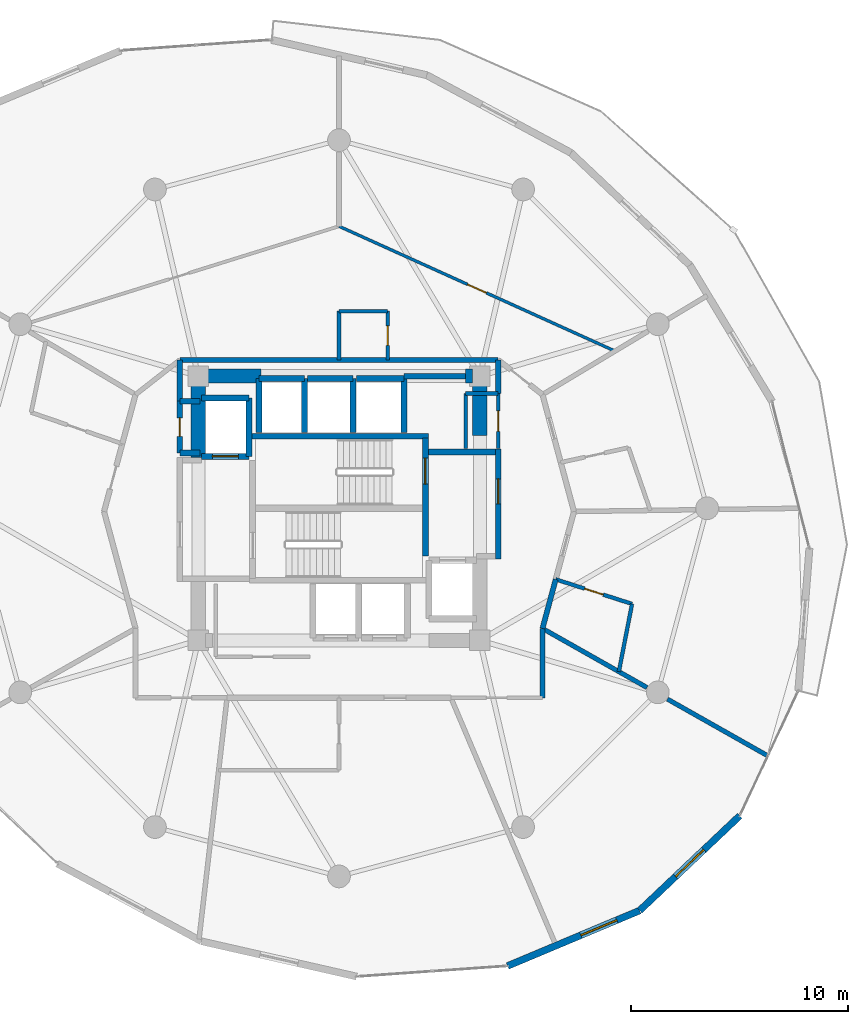
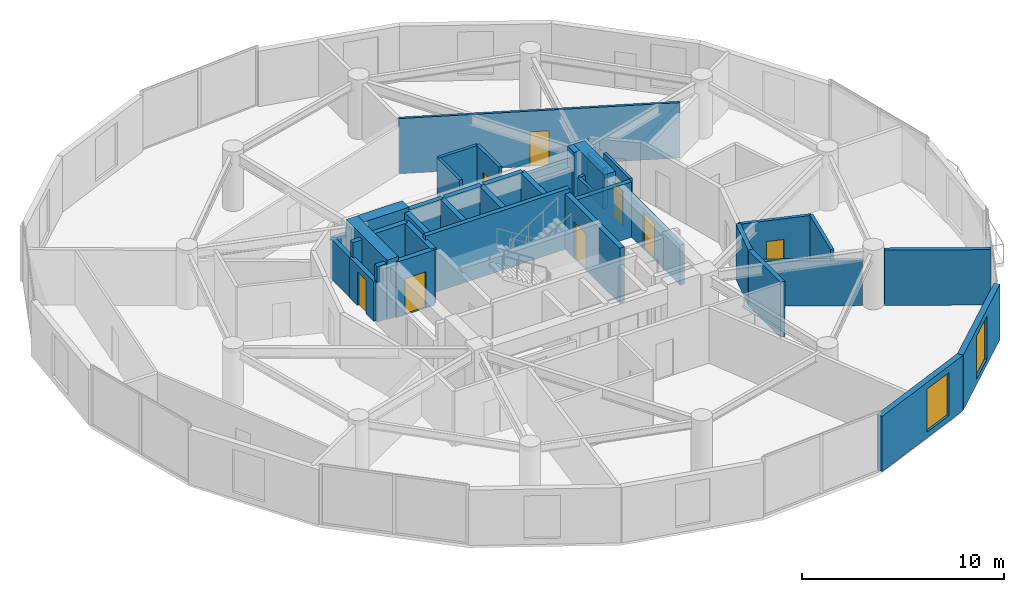
# One storey, part 21 of 25: 40 walls, 8 doors, 2 windows, 10 openings.
"""IFC4 building model written with IfcOpenShell, lengths in metres."""

from ifc_helpers import new_model, si_unit, direction, frame, frame_2d, origin, place, context, subcontext, project, spatial, rectangle, extrude, material, layer, layer_set, type_object, element, fill, save


model = new_model("IFC4")

# Units and contexts
model_context = context("Model", 3, precision=1e-05, world=origin(), true_north=direction((0.0, 1.0)))
body_context = subcontext(model_context, "Body", "Model", "MODEL_VIEW")
ifc_project = project(units=[si_unit("LENGTHUNIT", "METRE"), si_unit("AREAUNIT", "SQUARE_METRE"), si_unit("VOLUMEUNIT", "CUBIC_METRE"), si_unit("PLANEANGLEUNIT", "RADIAN"), si_unit("MASSUNIT", "GRAM", prefix="KILO")], contexts=[model_context])

# Site, building, storey
site_placement = place(None, origin())
site = spatial("IfcSite", under=ifc_project, at=site_placement, CompositionType="ELEMENT")
building_placement = place(site_placement, origin())
building = spatial("IfcBuilding", under=site, at=building_placement, Name="Solvirekh Grand Hotel", CompositionType="ELEMENT")
storey_placement = place(building_placement, frame((0.0, 0.0, 120.60009765625)))
storey = spatial("IfcBuildingStorey", under=building, at=storey_placement, Name="L30", CompositionType="ELEMENT", Elevation=120.60009765625)

# Walls
ifc_material_1 = material(Name="Concrete C50/60", Category="concrete")
ifc_layer_1 = layer(ifc_material_1, 0.35009765625)
ifc_layer_set_1 = layer_set([ifc_layer_1], Name="Concrete C50/60")
wall_type_1 = type_object("IfcWallType", Name="CoreDivWall_RC350", PredefinedType="SOLIDWALL", material=ifc_layer_set_1)
wall_1_placement = place(storey_placement, frame((-4.1298828125, 3.324951171875, 0.0), z_axis=(0.0, 0.0, 1.0), x_axis=(1.0, 0.0, 0.0)))
element("IfcWall", 1, at=wall_1_placement, inside=storey, type_object=wall_type_1, Name="L30 core stair box wall ST-N", PredefinedType="SOLIDWALL", context=body_context, shape_type="SweptSolid", body=[
    extrude(rectangle(XDim=8.259765625, YDim=0.25, at=frame_2d((4.1298828125, 0.0))), origin(), (0.0, 0.0, 1.0), 3.599853515625),
])
ifc_material_2 = material(Name="Concrete C40/50", Category="concrete")
ifc_layer_2 = layer(ifc_material_2, 0.280029296875)
ifc_layer_set_2 = layer_set([ifc_layer_2], Name="Concrete C40/50")
wall_type_2 = type_object("IfcWallType", Name="CoreShaftWall_RC280", PredefinedType="SOLIDWALL", material=ifc_layer_set_2)
wall_2_placement = place(storey_placement, frame((-1.60009765625, 6.0, 0.0), z_axis=(0.0, 0.0, 1.0), x_axis=(-1.0, 0.0, 0.0)))
element("IfcWall", 2, at=wall_2_placement, inside=storey, type_object=wall_type_2, Name="L30 HP-1 hoistway N wall", PredefinedType="SOLIDWALL", context=body_context, shape_type="SweptSolid", body=[
    extrude(rectangle(XDim=2.099853515625, YDim=0.280029296875, at=frame_2d((1.0498046875, 0.0))), origin(), (0.0, 0.0, 1.0), 3.349853515625),
])
for number, where, z_axis, x_axis, name in (
    (3, (-3.699951171875, 6.0, 0.0), (0.0, 0.0, 1.0), (0.0, -1.0, 0.0), "L30 HP-1 hoistway W wall"),
    (4, (-1.60009765625, 3.5, 0.0), (0.0, 0.0, 1.0), (0.0, 1.0, 0.0), "L30 HP-1 hoistway E wall"),
):
    element("IfcWall", number, at=place(storey_placement, frame(where, z_axis=z_axis, x_axis=x_axis)), inside=storey, type_object=wall_type_2, Name=name, PredefinedType="SOLIDWALL", context=body_context, shape_type="SweptSolid", body=[
        extrude(rectangle(XDim=2.5, YDim=0.280029296875, at=frame_2d((1.25, 0.0))), origin(), (0.0, 0.0, 1.0), 3.349853515625),
    ])
wall_3_placement = place(storey_placement, frame((0.64990234375, 6.0, 0.0), z_axis=(0.0, 0.0, 1.0), x_axis=(-1.0, 0.0, 0.0)))
element("IfcWall", 5, at=wall_3_placement, inside=storey, type_object=wall_type_2, Name="L30 HP-2 hoistway N wall", PredefinedType="SOLIDWALL", context=body_context, shape_type="SweptSolid", body=[
    extrude(rectangle(XDim=2.099853515625, YDim=0.280029296875, at=frame_2d((1.0498046875, 0.0))), origin(), (0.0, 0.0, 1.0), 3.349853515625),
])
wall_4_placement = place(storey_placement, frame((0.64990234375, 3.5, 0.0), z_axis=(0.0, 0.0, 1.0), x_axis=(0.0, 1.0, 0.0)))
element("IfcWall", 6, at=wall_4_placement, inside=storey, type_object=wall_type_2, Name="L30 HP-2 hoistway E wall", PredefinedType="SOLIDWALL", context=body_context, shape_type="SweptSolid", body=[
    extrude(rectangle(XDim=2.5, YDim=0.280029296875, at=frame_2d((1.25, 0.0))), origin(), (0.0, 0.0, 1.0), 3.349853515625),
])
wall_5_placement = place(storey_placement, frame((3.0, 6.0, 0.0), z_axis=(0.0, 0.0, 1.0), x_axis=(-1.0, 0.0, 0.0)))
element("IfcWall", 7, at=wall_5_placement, inside=storey, type_object=wall_type_2, Name="L30 EX-1 hoistway N wall", PredefinedType="SOLIDWALL", context=body_context, shape_type="SweptSolid", body=[
    extrude(rectangle(XDim=2.199951171875, YDim=0.280029296875, at=frame_2d((1.10009765625, 0.0))), origin(), (0.0, 0.0, 1.0), 3.349853515625),
])
wall_6_placement = place(storey_placement, frame((3.0, 3.5, 0.0), z_axis=(0.0, 0.0, 1.0), x_axis=(0.0, 1.0, 0.0)))
element("IfcWall", 8, at=wall_6_placement, inside=storey, type_object=wall_type_2, Name="L30 EX-1 hoistway E wall", PredefinedType="SOLIDWALL", context=body_context, shape_type="SweptSolid", body=[
    extrude(rectangle(XDim=2.5, YDim=0.280029296875, at=frame_2d((1.25, 0.0))), origin(), (0.0, 0.0, 1.0), 3.349853515625),
])

# Wall, opening, door
wall_7_placement = place(storey_placement, frame((-6.35009765625, 2.39990234375, 0.0), z_axis=(0.0, 0.0, 1.0), x_axis=(1.0, 0.0, 0.0)))
wall_7 = element("IfcWall", 9, at=wall_7_placement, inside=storey, type_object=wall_type_2, Name="L30 FL-1 hoistway S wall", PredefinedType="SOLIDWALL", context=body_context, shape_type="SweptSolid", body=[
    extrude(rectangle(XDim=2.2001953125, YDim=0.280029296875, at=frame_2d((1.10009765625, 0.0))), origin(), (0.0, 0.0, 1.0), 3.349853515625),
])
opening_1_placement = place(wall_7_placement, frame((0.5, 0.0, 0.0)))
opening_1 = element("IfcOpeningElement", 10, at=opening_1_placement, cuts=wall_7, Name="Opening LD02", PredefinedType="OPENING", context=body_context, shape_type="SweptSolid", body=[
    extrude(rectangle(XDim=1.199951171875, YDim=2.199951171875, at=frame_2d((0.60009765625, 1.10009765625))), frame((0.0, 0.14990234375, 0.0), z_axis=(0.0, -1.0, 0.0), x_axis=(1.0, 0.0, 0.0)), (0.0, 0.0, 1.0), 0.300048828125),
])
ifc_material_3 = material(Name="Fire-Rated Steel Door Assembly", Category="steel")
door_type_1 = type_object("IfcDoorType", Name="Door_LiftFF_1200X2200", OperationType="SLIDING_TO_LEFT", PredefinedType="DOOR", material=ifc_material_3)
door_1_placement = place(opening_1_placement, origin())
door_1 = element("IfcDoor", 11, at=door_1_placement, inside=storey, type_object=door_type_1, Name="L30 FL-1 sliding lift landing door", OperationType="SLIDING_TO_LEFT", OverallHeight=2.199951171875, OverallWidth=1.199951171875, PredefinedType="DOOR", context=body_context, shape_type="SweptSolid", body=[
    extrude(rectangle(XDim=1.199951171875, YDim=2.199951171875, at=frame_2d((0.60009765625, 1.10009765625))), frame((0.0, 0.02490234375, 0.0), z_axis=(0.0, -1.0, 0.0), x_axis=(1.0, 0.0, 0.0)), (0.0, 0.0, 1.0), 0.050048828125),
])
fill(opening_1, door_1)

# Walls
wall_8_placement = place(storey_placement, frame((-4.14990234375, 5.10009765625, 0.0), z_axis=(0.0, 0.0, 1.0), x_axis=(-1.0, 0.0, 0.0)))
element("IfcWall", 12, at=wall_8_placement, inside=storey, type_object=wall_type_2, Name="L30 FL-1 hoistway N wall", PredefinedType="SOLIDWALL", context=body_context, shape_type="SweptSolid", body=[
    extrude(rectangle(XDim=2.2001953125, YDim=0.280029296875, at=frame_2d((1.10009765625, 0.0))), origin(), (0.0, 0.0, 1.0), 3.349853515625),
])
wall_9_placement = place(storey_placement, frame((-4.14990234375, 2.39990234375, 0.0), z_axis=(0.0, 0.0, 1.0), x_axis=(0.0, 1.0, 0.0)))
element("IfcWall", 13, at=wall_9_placement, inside=storey, type_object=wall_type_2, Name="L30 FL-1 hoistway E wall", PredefinedType="SOLIDWALL", context=body_context, shape_type="SweptSolid", body=[
    extrude(rectangle(XDim=2.7001953125, YDim=0.280029296875, at=frame_2d((1.35009765625, 0.0))), origin(), (0.0, 0.0, 1.0), 3.349853515625),
])

# Wall, opening, door
wall_10_placement = place(storey_placement, frame((3.989990234375, -2.2099609375, 0.0), z_axis=(0.0, 0.0, 1.0), x_axis=(0.0, 1.0, 0.0)))
wall_10 = element("IfcWall", 14, at=wall_10_placement, inside=storey, type_object=wall_type_2, Name="L30 east stair landing enclosure wall", PredefinedType="SOLIDWALL", context=body_context, shape_type="SweptSolid", body=[
    extrude(rectangle(XDim=5.4599609375, YDim=0.280029296875, at=frame_2d((2.72998046875, 0.0))), origin(), (0.0, 0.0, 1.0), 3.349853515625),
])
opening_2_placement = place(wall_10_placement, frame((3.322998046875, 0.0, 0.0)))
opening_2 = element("IfcOpeningElement", 15, at=opening_2_placement, cuts=wall_10, Name="Opening D05", PredefinedType="OPENING", context=body_context, shape_type="SweptSolid", body=[
    extrude(rectangle(XDim=1.199951171875, YDim=2.199951171875, at=frame_2d((0.60009765625, 1.10009765625))), frame((0.0, 0.14990234375, 0.0), z_axis=(0.0, -1.0, 0.0), x_axis=(1.0, 0.0, 0.0)), (0.0, 0.0, 1.0), 0.300048828125),
])
door_type_2 = type_object("IfcDoorType", Name="Door_StairCore_1200X2200", OperationType="NOTDEFINED", PredefinedType="DOOR", material=ifc_material_3)
door_2_placement = place(opening_2_placement, origin())
door_2 = element("IfcDoor", 16, at=door_2_placement, inside=storey, type_object=door_type_2, Name="L30 exit stair ST-2 fire door", OperationType="SINGLE_SWING_LEFT", OverallHeight=2.199951171875, OverallWidth=1.199951171875, PredefinedType="DOOR", context=body_context, shape_type="SweptSolid", body=[
    extrude(rectangle(XDim=1.199951171875, YDim=2.199951171875, at=frame_2d((0.60009765625, 1.10009765625))), frame((0.0, 0.02490234375, 0.0), z_axis=(0.0, -1.0, 0.0), x_axis=(1.0, 0.0, 0.0)), (0.0, 0.0, 1.0), 0.050048828125),
])
fill(opening_2, door_2)

# Walls
ifc_layer_3 = layer(ifc_material_1, 0.64990234375)
ifc_layer_set_3 = layer_set([ifc_layer_3], Name="Concrete C50/60")
wall_type_3 = type_object("IfcWallType", Name="CoreWall_RC650", PredefinedType="SHEAR", material=ifc_layer_set_3)
wall_11_placement = place(storey_placement, frame((-6.175048828125, 6.10009765625, 0.0), z_axis=(0.0, 0.0, 1.0), x_axis=(1.0, 0.0, 0.0)))
element("IfcWall", 17, at=wall_11_placement, inside=storey, type_object=wall_type_3, Name="L30 core corner shear wall NW-N", PredefinedType="SHEAR", context=body_context, shape_type="SweptSolid", body=[
    extrude(rectangle(XDim=2.574951171875, YDim=0.64990234375, at=frame_2d((1.28759765625, 0.0))), origin(), (0.0, 0.0, 1.0), 3.599853515625),
])
wall_12_placement = place(storey_placement, frame((5.85009765625, 6.10009765625, 0.0), z_axis=(0.0, 0.0, 1.0), x_axis=(1.0, 0.0, 0.0)))
element("IfcWall", 18, at=wall_12_placement, inside=storey, type_object=wall_type_3, Name="L30 core corner shear wall NE-N", PredefinedType="SHEAR", context=body_context, shape_type="SweptSolid", body=[
    extrude(rectangle(XDim=0.324951171875, YDim=0.64990234375, at=frame_2d((0.16259765625, 0.0))), origin(), (0.0, 0.0, 1.0), 3.599853515625),
])
wall_13_placement = place(storey_placement, frame((-6.5, 2.35009765625, 0.0), z_axis=(0.0, 0.0, 1.0), x_axis=(0.0, 1.0, 0.0)))
element("IfcWall", 19, at=wall_13_placement, inside=storey, type_object=wall_type_3, Name="L30 core corner shear wall WN-W", PredefinedType="SHEAR", context=body_context, shape_type="SweptSolid", body=[
    extrude(rectangle(XDim=4.074951171875, YDim=0.64990234375, at=frame_2d((2.03759765625, 0.0))), origin(), (0.0, 0.0, 1.0), 3.599853515625),
])
wall_14_placement = place(storey_placement, frame((6.5, 3.35009765625, 0.0), z_axis=(0.0, 0.0, 1.0), x_axis=(0.0, 1.0, 0.0)))
element("IfcWall", 20, at=wall_14_placement, inside=storey, type_object=wall_type_3, Name="L30 core corner shear wall EN-E", PredefinedType="SHEAR", context=body_context, shape_type="SweptSolid", body=[
    extrude(rectangle(XDim=3.074951171875, YDim=0.64990234375, at=frame_2d((1.53759765625, 0.0))), origin(), (0.0, 0.0, 1.0), 3.599853515625),
])

# Wall, opening, window
ifc_material_4 = material(Name="Precast concrete C45/55", Category="concrete")
ifc_layer_4 = layer(ifc_material_4, 0.320068359375)
ifc_layer_set_4 = layer_set([ifc_layer_4], Name="Precast concrete C45/55")
wall_type_4 = type_object("IfcWallType", Name="ExtLobbyWall_RC320", PredefinedType="SOLIDWALL", material=ifc_layer_set_4)
wall_15_placement = place(storey_placement, frame((13.882080078125, -18.576904296875, 0.0), z_axis=(0.0, 0.0, 1.0), x_axis=(-0.92207540552, -0.387010266704, 0.0)))
wall_15 = element("IfcWall", 21, at=wall_15_placement, inside=storey, type_object=wall_type_4, Name="L30 exterior structural wall chord 19", PredefinedType="SOLIDWALL", context=body_context, shape_type="SweptSolid", body=[
    extrude(rectangle(XDim=6.612548828125, YDim=0.320068359375, at=frame_2d((3.30615234375, 0.0))), origin(), (0.0, 0.0, 1.0), 3.349853515625),
])
opening_3_placement = place(wall_15_placement, frame((1.14306640625, 0.0, 0.35009765625)))
opening_3 = element("IfcOpeningElement", 22, at=opening_3_placement, cuts=wall_15, Name="Opening W02", PredefinedType="OPENING", context=body_context, shape_type="SweptSolid", body=[
    extrude(rectangle(XDim=1.800048828125, YDim=2.60009765625, at=frame_2d((0.89990234375, 1.300048828125))), frame((0.0, 0.169921875, 0.0), z_axis=(0.0, -1.0, 0.0), x_axis=(1.0, 0.0, 0.0)), (0.0, 0.0, 1.0), 0.340087890625),
])
ifc_material_5 = material(Name="Low-E Tinted Bronze Laminated Glass", Category="aluminium")
window_type = type_object("IfcWindowType", Name="Win_LobbyExt_1800X2600", PartitioningType="SINGLE_PANEL", PredefinedType="WINDOW", material=ifc_material_5)
window_1_placement = place(opening_3_placement, origin())
window_1 = element("IfcWindow", 23, at=window_1_placement, inside=storey, type_object=window_type, Name="L30 panoramic bronze-framed window 19", OverallHeight=2.60009765625, OverallWidth=1.800048828125, PartitioningType="SINGLE_PANEL", PredefinedType="WINDOW", context=body_context, shape_type="SweptSolid", body=[
    extrude(rectangle(XDim=1.800048828125, YDim=2.60009765625, at=frame_2d((0.89990234375, 1.300048828125))), frame((0.0, 0.030029296875, 0.0), z_axis=(0.0, -1.0, 0.0), x_axis=(1.0, 0.0, 0.0)), (0.0, 0.0, 1.0), 0.06005859375),
])
fill(opening_3, window_1)

wall_16_placement = place(storey_placement, frame((18.508056640625, -14.198974609375, 0.0), z_axis=(0.0, 0.0, 1.0), x_axis=(-0.726311169537, -0.687366048773, 0.0)))
wall_16 = element("IfcWall", 24, at=wall_16_placement, inside=storey, type_object=wall_type_4, Name="L30 exterior structural wall chord 20", PredefinedType="SOLIDWALL", context=body_context, shape_type="SweptSolid", body=[
    extrude(rectangle(XDim=6.369140625, YDim=0.320068359375, at=frame_2d((3.1845703125, 0.0))), origin(), (0.0, 0.0, 1.0), 3.349853515625),
])
opening_4_placement = place(wall_16_placement, frame((2.284912109375, 0.0, 0.35009765625)))
opening_4 = element("IfcOpeningElement", 25, at=opening_4_placement, cuts=wall_16, Name="Opening W02", PredefinedType="OPENING", context=body_context, shape_type="SweptSolid", body=[
    extrude(rectangle(XDim=1.800048828125, YDim=2.60009765625, at=frame_2d((0.89990234375, 1.300048828125))), frame((0.0, 0.169921875, 0.0), z_axis=(0.0, -1.0, 0.0), x_axis=(1.0, 0.0, 0.0)), (0.0, 0.0, 1.0), 0.340087890625),
])
window_2_placement = place(opening_4_placement, origin())
window_2 = element("IfcWindow", 26, at=window_2_placement, inside=storey, type_object=window_type, Name="L30 panoramic bronze-framed window 20", OverallHeight=2.60009765625, OverallWidth=1.800048828125, PartitioningType="SINGLE_PANEL", PredefinedType="WINDOW", context=body_context, shape_type="SweptSolid", body=[
    extrude(rectangle(XDim=1.800048828125, YDim=2.60009765625, at=frame_2d((0.89990234375, 1.300048828125))), frame((0.0, 0.030029296875, 0.0), z_axis=(0.0, -1.0, 0.0), x_axis=(1.0, 0.0, 0.0)), (0.0, 0.0, 1.0), 0.06005859375),
])
fill(opening_4, window_2)

# Wall, opening, door
ifc_material_6 = material(Name="Acoustic Gypsum Partition Assembly")
ifc_layer_5 = layer(ifc_material_6, 0.1650390625)
ifc_layer_set_5 = layer_set([ifc_layer_5], Name="Acoustic Gypsum Partition Assembly")
wall_type_5 = type_object("IfcWallType", Name="Part_BOH_165", PredefinedType="PARTITIONING", material=ifc_layer_set_5)
wall_17_placement = place(storey_placement, frame((7.35009765625, 2.75, 0.0), z_axis=(0.0, 0.0, 1.0), x_axis=(0.0, 1.0, 0.0)))
wall_17 = element("IfcWall", 27, at=wall_17_placement, inside=storey, type_object=wall_type_5, Name="L30 L30 Core Housekeeping & Linen Room wall 2", PredefinedType="PARTITIONING", context=body_context, shape_type="SweptSolid", body=[
    extrude(rectangle(XDim=2.550048828125, YDim=0.1650390625, at=frame_2d((1.27490234375, 0.0))), origin(), (0.0, 0.0, 1.0), 3.349853515625),
])
opening_5_placement = place(wall_17_placement, frame((0.800048828125, 0.0, 0.0)))
opening_5 = element("IfcOpeningElement", 28, at=opening_5_placement, cuts=wall_17, Name="Opening D10", PredefinedType="OPENING", context=body_context, shape_type="SweptSolid", body=[
    extrude(rectangle(XDim=0.949951171875, YDim=2.10009765625, at=frame_2d((0.47509765625, 1.050048828125))), frame((0.0, 0.092529296875, 0.0), z_axis=(0.0, -1.0, 0.0), x_axis=(1.0, 0.0, 0.0)), (0.0, 0.0, 1.0), 0.18505859375),
])
ifc_material_7 = material(Name="Anodized Bronze Aluminium 6063-T6", Category="aluminium")
door_type_3 = type_object("IfcDoorType", Name="Door_RoomInt_950X2100", OperationType="NOTDEFINED", PredefinedType="DOOR", material=ifc_material_7)
door_3_placement = place(opening_5_placement, origin())
door_3 = element("IfcDoor", 29, at=door_3_placement, inside=storey, type_object=door_type_3, Name="L30 L30 Core Housekeeping & Linen Room door", OperationType="SINGLE_SWING_LEFT", OverallHeight=2.10009765625, OverallWidth=0.949951171875, PredefinedType="DOOR", context=body_context, shape_type="SweptSolid", body=[
    extrude(rectangle(XDim=0.949951171875, YDim=2.10009765625, at=frame_2d((0.47509765625, 1.050048828125))), frame((0.0, 0.02490234375, 0.0), z_axis=(0.0, -1.0, 0.0), x_axis=(1.0, 0.0, 0.0)), (0.0, 0.0, 1.0), 0.050048828125),
])
fill(opening_5, door_3)

# Walls
wall_18_placement = place(storey_placement, frame((7.35009765625, 5.300048828125, 0.0), z_axis=(0.0, 0.0, 1.0), x_axis=(-1.0, 0.0, 0.0)))
element("IfcWall", 30, at=wall_18_placement, inside=storey, type_object=wall_type_5, Name="L30 L30 Core Housekeeping & Linen Room wall 3", PredefinedType="PARTITIONING", context=body_context, shape_type="SweptSolid", body=[
    extrude(rectangle(XDim=1.5, YDim=0.1650390625, at=frame_2d((0.75, 0.0))), origin(), (0.0, 0.0, 1.0), 2.434814453125),
])
wall_19_placement = place(storey_placement, frame((5.85009765625, 5.300048828125, 0.0), z_axis=(0.0, 0.0, 1.0), x_axis=(0.0, -1.0, 0.0)))
element("IfcWall", 31, at=wall_19_placement, inside=storey, type_object=wall_type_5, Name="L30 L30 Core Housekeeping & Linen Room wall 4", PredefinedType="PARTITIONING", context=body_context, shape_type="SweptSolid", body=[
    extrude(rectangle(XDim=2.550048828125, YDim=0.1650390625, at=frame_2d((1.27490234375, 0.0))), origin(), (0.0, 0.0, 1.0), 2.434814453125),
])

# Wall, opening, door
ifc_layer_6 = layer(ifc_material_6, 0.239990234375)
ifc_layer_set_6 = layer_set([ifc_layer_6], Name="Acoustic Gypsum Partition Assembly")
wall_type_6 = type_object("IfcWallType", Name="Part_Corridor_240", PredefinedType="PARTITIONING", material=ifc_layer_set_6)
wall_20_placement = place(storey_placement, frame((7.35009765625, -2.340087890625, 0.0), z_axis=(0.0, 0.0, 1.0), x_axis=(0.0, 1.0, 0.0)))
wall_20 = element("IfcWall", 32, at=wall_20_placement, inside=storey, type_object=wall_type_6, Name="L30 east firefighting lobby smoke screen wall", PredefinedType="PARTITIONING", context=body_context, shape_type="SweptSolid", body=[
    extrude(rectangle(XDim=5.070068359375, YDim=0.239990234375, at=frame_2d((2.53515625, 0.0))), origin(), (0.0, 0.0, 1.0), 2.434814453125),
])
opening_6_placement = place(wall_20_placement, frame((2.548095703125, 0.0, 0.0)))
opening_6 = element("IfcOpeningElement", 33, at=opening_6_placement, cuts=wall_20, Name="Opening D06", PredefinedType="OPENING", context=body_context, shape_type="SweptSolid", body=[
    extrude(rectangle(XDim=1.14990234375, YDim=2.199951171875, at=frame_2d((0.574951171875, 1.10009765625))), frame((0.0, 0.1298828125, 0.0), z_axis=(0.0, -1.0, 0.0), x_axis=(1.0, 0.0, 0.0)), (0.0, 0.0, 1.0), 0.260009765625),
])
door_type_4 = type_object("IfcDoorType", Name="Door_FFLobby_1150X2200", OperationType="NOTDEFINED", PredefinedType="DOOR", material=ifc_material_3)
door_4_placement = place(opening_6_placement, origin())
door_4 = element("IfcDoor", 34, at=door_4_placement, inside=storey, type_object=door_type_4, Name="L30 east firefighting lobby smoke door", OperationType="SINGLE_SWING_LEFT", OverallHeight=2.199951171875, OverallWidth=1.14990234375, PredefinedType="DOOR", context=body_context, shape_type="SweptSolid", body=[
    extrude(rectangle(XDim=1.14990234375, YDim=2.199951171875, at=frame_2d((0.574951171875, 1.10009765625))), frame((0.0, 0.02490234375, 0.0), z_axis=(0.0, -1.0, 0.0), x_axis=(1.0, 0.0, 0.0)), (0.0, 0.0, 1.0), 0.050048828125),
])
fill(opening_6, door_4)

# Walls
wall_21_placement = place(storey_placement, frame((-7.35009765625, 6.85009765625, 0.0), z_axis=(0.0, 0.0, 1.0), x_axis=(1.0, 0.0, 0.0)))
element("IfcWall", 35, at=wall_21_placement, inside=storey, type_object=wall_type_6, Name="L30 north core backing partition", PredefinedType="PARTITIONING", context=body_context, shape_type="SweptSolid", body=[
    extrude(rectangle(XDim=14.7001953125, YDim=0.239990234375, at=frame_2d((7.35009765625, 0.0))), origin(), (0.0, 0.0, 1.0), 2.434814453125),
])
wall_22_placement = place(storey_placement, frame((-7.35009765625, 4.949951171875, 0.0), z_axis=(0.0, 0.0, 1.0), x_axis=(0.0, 1.0, 0.0)))
element("IfcWall", 36, at=wall_22_placement, inside=storey, type_object=wall_type_6, Name="L30 NW core cheek closure wall", PredefinedType="PARTITIONING", context=body_context, shape_type="SweptSolid", body=[
    extrude(rectangle(XDim=1.900146484375, YDim=0.239990234375, at=frame_2d((0.9501953125, 0.0))), origin(), (0.0, 0.0, 1.0), 2.434814453125),
])
wall_23_placement = place(storey_placement, frame((7.35009765625, 5.300048828125, 0.0), z_axis=(0.0, 0.0, 1.0), x_axis=(0.0, 1.0, 0.0)))
element("IfcWall", 37, at=wall_23_placement, inside=storey, type_object=wall_type_6, Name="L30 NE core cheek closure wall", PredefinedType="PARTITIONING", context=body_context, shape_type="SweptSolid", body=[
    extrude(rectangle(XDim=1.550048828125, YDim=0.239990234375, at=frame_2d((0.77490234375, 0.0))), origin(), (0.0, 0.0, 1.0), 2.434814453125),
])
wall_24_placement = place(storey_placement, frame((3.0, 6.10009765625, 0.0), z_axis=(0.0, 0.0, 1.0), x_axis=(1.0, 0.0, 0.0)))
element("IfcWall", 38, at=wall_24_placement, inside=storey, type_object=wall_type_6, Name="L30 north core shaft infill wall", PredefinedType="PARTITIONING", context=body_context, shape_type="SweptSolid", body=[
    extrude(rectangle(XDim=2.85009765625, YDim=0.239990234375, at=frame_2d((1.425048828125, 0.0))), origin(), (0.0, 0.0, 1.0), 2.434814453125),
])
wall_25_placement = place(storey_placement, frame((9.39599609375, -5.550048828125, 0.0), z_axis=(0.0, 0.0, 1.0), x_axis=(0.260152382661, 0.965567572879, 0.0)))
element("IfcWall", 39, at=wall_25_placement, inside=storey, type_object=wall_type_6, Name="L30 En-suite Bathroom 3203 corridor backing wall", PredefinedType="PARTITIONING", context=body_context, shape_type="SweptSolid", body=[
    extrude(rectangle(XDim=2.348876953125, YDim=0.239990234375, at=frame_2d((1.17431640625, 0.0))), origin(), (0.0, 0.0, 1.0), 3.349853515625),
])
wall_26_placement = place(storey_placement, frame((9.39599609375, -8.75, 0.0), z_axis=(0.0, 0.0, 1.0), x_axis=(0.0, 1.0, 0.0)))
element("IfcWall", 40, at=wall_26_placement, inside=storey, type_object=wall_type_6, Name="L30 L30 Butler Valet & Linen Steward Room corridor wall 1", PredefinedType="PARTITIONING", context=body_context, shape_type="SweptSolid", body=[
    extrude(rectangle(XDim=3.199951171875, YDim=0.239990234375, at=frame_2d((1.60009765625, 0.0))), origin(), (0.0, 0.0, 1.0), 3.349853515625),
])
ifc_layer_7 = layer(ifc_material_6, 0.260009765625)
ifc_layer_set_7 = layer_set([ifc_layer_7], Name="Acoustic Gypsum Partition Assembly")
wall_type_7 = type_object("IfcWallType", Name="Part_LobbyFF_260", PredefinedType="PARTITIONING", material=ifc_layer_set_7)
wall_27_placement = place(storey_placement, frame((4.1298828125, 2.60009765625, 0.0), z_axis=(0.0, 0.0, 1.0), x_axis=(1.0, 0.0, 0.0)))
element("IfcWall", 41, at=wall_27_placement, inside=storey, type_object=wall_type_7, Name="L30 east firefighting lobby north partition", PredefinedType="PARTITIONING", context=body_context, shape_type="SweptSolid", body=[
    extrude(rectangle(XDim=3.09521484375, YDim=0.260009765625, at=frame_2d((1.547607421875, 0.0))), origin(), (0.0, 0.0, 1.0), 3.349853515625),
])
for number, where, z_axis, x_axis, name in (
    (42, (-7.35009765625, 4.949951171875, 0.0), (0.0, 0.0, 1.0), (1.0, 0.0, 0.0), "L30 NW telecom metering cupboard north wall"),
    (43, (-7.35009765625, 2.550048828125, 0.0), (0.0, 0.0, 1.0), (1.0, 0.0, 0.0), "L30 NW telecom metering cupboard south wall"),
):
    element("IfcWall", number, at=place(storey_placement, frame(where, z_axis=z_axis, x_axis=x_axis)), inside=storey, type_object=wall_type_7, Name=name, PredefinedType="PARTITIONING", context=body_context, shape_type="SweptSolid", body=[
        extrude(rectangle(XDim=0.93017578125, YDim=0.260009765625, at=frame_2d((0.465087890625, 0.0))), origin(), (0.0, 0.0, 1.0), 3.349853515625),
    ])

# Wall, opening, door
wall_28_placement = place(storey_placement, frame((-7.35009765625, 2.550048828125, 0.0), z_axis=(0.0, 0.0, 1.0), x_axis=(0.0, 1.0, 0.0)))
wall_28 = element("IfcWall", 44, at=wall_28_placement, inside=storey, type_object=wall_type_7, Name="L30 NW telecom metering cupboard access wall", PredefinedType="PARTITIONING", context=body_context, shape_type="SweptSolid", body=[
    extrude(rectangle(XDim=2.39990234375, YDim=0.260009765625, at=frame_2d((1.199951171875, 0.0))), origin(), (0.0, 0.0, 1.0), 2.434814453125),
])
opening_7_placement = place(wall_28_placement, frame((0.77490234375, 0.0, 0.0)))
opening_7 = element("IfcOpeningElement", 45, at=opening_7_placement, cuts=wall_28, Name="Opening D13", PredefinedType="OPENING", context=body_context, shape_type="SweptSolid", body=[
    extrude(rectangle(XDim=0.85009765625, YDim=2.050048828125, at=frame_2d((0.425048828125, 1.02490234375))), frame((0.0, 0.14013671875, 0.0), z_axis=(0.0, -1.0, 0.0), x_axis=(1.0, 0.0, 0.0)), (0.0, 0.0, 1.0), 0.280029296875),
])
door_type_5 = type_object("IfcDoorType", Name="Door_RiserShaft_850X2050", OperationType="NOTDEFINED", PredefinedType="DOOR", material=ifc_material_3)
door_5_placement = place(opening_7_placement, origin())
door_5 = element("IfcDoor", 46, at=door_5_placement, inside=storey, type_object=door_type_5, Name="L30 telecom metering cupboard access door", OperationType="SINGLE_SWING_RIGHT", OverallHeight=2.050048828125, OverallWidth=0.85009765625, PredefinedType="DOOR", context=body_context, shape_type="SweptSolid", body=[
    extrude(rectangle(XDim=0.85009765625, YDim=2.050048828125, at=frame_2d((0.425048828125, 1.02490234375))), frame((0.0, 0.02490234375, 0.0), z_axis=(0.0, -1.0, 0.0), x_axis=(1.0, 0.0, 0.0)), (0.0, 0.0, 1.0), 0.050048828125),
])
fill(opening_7, door_5)

ifc_layer_8 = layer(ifc_material_6, 0.135009765625)
ifc_layer_set_8 = layer_set([ifc_layer_8], Name="Acoustic Gypsum Partition Assembly")
wall_type_8 = type_object("IfcWallType", Name="Part_RoomInt_135", PredefinedType="PARTITIONING", material=ifc_layer_set_8)
wall_29_placement = place(storey_placement, frame((0.0, 13.02294921875, 0.0), z_axis=(0.0, 0.0, 1.0), x_axis=(0.911139602209, -0.412097834605, 0.0)))
wall_29 = element("IfcWall", 47, at=wall_29_placement, inside=storey, type_object=wall_type_8, Name="L30 Panorama Suite 3201 North Sitting Room bedroom screen wall", PredefinedType="PARTITIONING", context=body_context, shape_type="SweptSolid", body=[
    extrude(rectangle(XDim=13.98681640625, YDim=0.135009765625, at=frame_2d((6.993408203125, 0.0))), origin(), (0.0, 0.0, 1.0), 3.349853515625),
])
opening_8_placement = place(wall_29_placement, frame((6.51806640625, 0.0, 0.0)))
opening_8 = element("IfcOpeningElement", 48, at=opening_8_placement, cuts=wall_29, Name="Opening D10", PredefinedType="OPENING", context=body_context, shape_type="SweptSolid", body=[
    extrude(rectangle(XDim=0.949951171875, YDim=2.10009765625, at=frame_2d((0.47509765625, 1.050048828125))), frame((0.0, 0.07763671875, 0.0), z_axis=(0.0, -1.0, 0.0), x_axis=(1.0, 0.0, 0.0)), (0.0, 0.0, 1.0), 0.155029296875),
])
door_6_placement = place(opening_8_placement, origin())
door_6 = element("IfcDoor", 49, at=door_6_placement, inside=storey, type_object=door_type_3, Name="L30 Panorama Suite 3201 North Sitting Room master bedroom door", OperationType="SINGLE_SWING_LEFT", OverallHeight=2.10009765625, OverallWidth=0.949951171875, PredefinedType="DOOR", context=body_context, shape_type="SweptSolid", body=[
    extrude(rectangle(XDim=0.949951171875, YDim=2.10009765625, at=frame_2d((0.47509765625, 1.050048828125))), frame((0.0, 0.02490234375, 0.0), z_axis=(0.0, -1.0, 0.0), x_axis=(1.0, 0.0, 0.0)), (0.0, 0.0, 1.0), 0.050048828125),
])
fill(opening_8, door_6)

# Walls
ifc_layer_9 = layer(ifc_material_6, 0.2099609375)
ifc_layer_set_9 = layer_set([ifc_layer_9], Name="Acoustic Gypsum Partition Assembly")
wall_type_9 = type_object("IfcWallType", Name="Part_SuiteDemise_210", PredefinedType="PARTITIONING", material=ifc_layer_set_9)
wall_30_placement = place(storey_placement, frame((9.39599609375, -5.550048828125, 0.0), z_axis=(0.0, 0.0, 1.0), x_axis=(0.870557919432, -0.492065959922, 0.0)))
element("IfcWall", 50, at=wall_30_placement, inside=storey, type_object=wall_type_9, Name="L30 suite radial wall 12 (A)", PredefinedType="PARTITIONING", context=body_context, shape_type="SweptSolid", body=[
    extrude(rectangle(XDim=5.5458984375, YDim=0.2099609375, at=frame_2d((2.77294921875, 0.0))), origin(), (0.0, 0.0, 1.0), 2.718994140625),
])
wall_31_placement = place(storey_placement, frame((15.16796875, -8.81298828125, 0.0), z_axis=(0.0, 0.0, 1.0), x_axis=(0.870524982939, -0.492124226267, 0.0)))
element("IfcWall", 51, at=wall_31_placement, inside=storey, type_object=wall_type_9, Name="L30 suite radial wall 12 (B)", PredefinedType="PARTITIONING", context=body_context, shape_type="SweptSolid", body=[
    extrude(rectangle(XDim=5.285400390625, YDim=0.2099609375, at=frame_2d((2.642578125, 0.0))), origin(), (0.0, 0.0, 1.0), 3.349853515625),
])
ifc_layer_10 = layer(ifc_material_6, 0.175048828125)
ifc_layer_set_10 = layer_set([ifc_layer_10], Name="Acoustic Gypsum Partition Assembly")
wall_type_10 = type_object("IfcWallType", Name="Plumb_Ensuite_175", PredefinedType="PLUMBINGWALL", material=ifc_layer_set_10)
for number, where, z_axis, x_axis, name in (
    (52, (0.0, 9.10009765625, 0.0), (0.0, 0.0, 1.0), (1.0, 0.0, 0.0), "L30 En-suite Bathroom 3201 outer plumbing wall"),
    (53, (0.0, 9.10009765625, 0.0), (0.0, 0.0, 1.0), (0.0, -1.0, 0.0), "L30 En-suite Bathroom 3201 side plumbing wall"),
):
    element("IfcWall", number, at=place(storey_placement, frame(where, z_axis=z_axis, x_axis=x_axis)), inside=storey, type_object=wall_type_10, Name=name, PredefinedType="PLUMBINGWALL", context=body_context, shape_type="SweptSolid", body=[
        extrude(rectangle(XDim=2.25, YDim=0.175048828125, at=frame_2d((1.125, 0.0))), origin(), (0.0, 0.0, 1.0), 3.349853515625),
    ])

# Wall, opening, door
wall_32_placement = place(storey_placement, frame((2.25, 6.85009765625, 0.0), z_axis=(0.0, 0.0, 1.0), x_axis=(0.0, 1.0, 0.0)))
wall_32 = element("IfcWall", 54, at=wall_32_placement, inside=storey, type_object=wall_type_10, Name="L30 En-suite Bathroom 3201 entry plumbing wall", PredefinedType="PLUMBINGWALL", context=body_context, shape_type="SweptSolid", body=[
    extrude(rectangle(XDim=2.25, YDim=0.175048828125, at=frame_2d((1.125, 0.0))), origin(), (0.0, 0.0, 1.0), 3.349853515625),
])
opening_9_placement = place(wall_32_placement, frame((0.675048828125, 0.0, 0.0)))
opening_9 = element("IfcOpeningElement", 55, at=opening_9_placement, cuts=wall_32, Name="Opening D09", PredefinedType="OPENING", context=body_context, shape_type="SweptSolid", body=[
    extrude(rectangle(XDim=0.89990234375, YDim=2.10009765625, at=frame_2d((0.449951171875, 1.050048828125))), frame((0.0, 0.09765625, 0.0), z_axis=(0.0, -1.0, 0.0), x_axis=(1.0, 0.0, 0.0)), (0.0, 0.0, 1.0), 0.195068359375),
])
door_type_6 = type_object("IfcDoorType", Name="Door_Ensuite_900X2100", OperationType="NOTDEFINED", PredefinedType="DOOR", material=ifc_material_7)
door_7_placement = place(opening_9_placement, origin())
door_7 = element("IfcDoor", 56, at=door_7_placement, inside=storey, type_object=door_type_6, Name="L30 En-suite Bathroom 3201 door", OperationType="SINGLE_SWING_LEFT", OverallHeight=2.10009765625, OverallWidth=0.89990234375, PredefinedType="DOOR", context=body_context, shape_type="SweptSolid", body=[
    extrude(rectangle(XDim=0.89990234375, YDim=2.10009765625, at=frame_2d((0.449951171875, 1.050048828125))), frame((0.0, 0.02490234375, 0.0), z_axis=(0.0, -1.0, 0.0), x_axis=(1.0, 0.0, 0.0)), (0.0, 0.0, 1.0), 0.050048828125),
])
fill(opening_9, door_7)

# Wall
wall_33_placement = place(storey_placement, frame((12.923095703125, -7.5439453125, 0.0), z_axis=(0.0, 0.0, 1.0), x_axis=(0.191132211705, 0.981564301332, 0.0)))
element("IfcWall", 57, at=wall_33_placement, inside=storey, type_object=wall_type_10, Name="L30 En-suite Bathroom 3203 outer plumbing wall", PredefinedType="PLUMBINGWALL", context=body_context, shape_type="SweptSolid", body=[
    extrude(rectangle(XDim=3.185791015625, YDim=0.175048828125, at=frame_2d((1.5927734375, 0.0))), origin(), (0.0, 0.0, 1.0), 3.349853515625),
])

# Wall, opening, door
wall_34_placement = place(storey_placement, frame((10.007080078125, -3.281982421875, 0.0), z_axis=(0.0, 0.0, 1.0), x_axis=(0.951870664492, -0.306499980553, 0.0)))
wall_34 = element("IfcWall", 58, at=wall_34_placement, inside=storey, type_object=wall_type_10, Name="L30 En-suite Bathroom 3203 entry plumbing wall", PredefinedType="PLUMBINGWALL", context=body_context, shape_type="SweptSolid", body=[
    extrude(rectangle(XDim=3.703125, YDim=0.175048828125, at=frame_2d((1.8515625, 0.0))), origin(), (0.0, 0.0, 1.0), 3.349853515625),
])
opening_10_placement = place(wall_34_placement, frame((1.402099609375, 0.0, 0.0)))
opening_10 = element("IfcOpeningElement", 59, at=opening_10_placement, cuts=wall_34, Name="Opening D09", PredefinedType="OPENING", context=body_context, shape_type="SweptSolid", body=[
    extrude(rectangle(XDim=0.89990234375, YDim=2.10009765625, at=frame_2d((0.449951171875, 1.050048828125))), frame((0.0, 0.09765625, 0.0), z_axis=(0.0, -1.0, 0.0), x_axis=(1.0, 0.0, 0.0)), (0.0, 0.0, 1.0), 0.195068359375),
])
door_8_placement = place(opening_10_placement, origin())
door_8 = element("IfcDoor", 60, at=door_8_placement, inside=storey, type_object=door_type_6, Name="L30 En-suite Bathroom 3203 door", OperationType="SINGLE_SWING_LEFT", OverallHeight=2.10009765625, OverallWidth=0.89990234375, PredefinedType="DOOR", context=body_context, shape_type="SweptSolid", body=[
    extrude(rectangle(XDim=0.89990234375, YDim=2.10009765625, at=frame_2d((0.449951171875, 1.050048828125))), frame((0.0, 0.02490234375, 0.0), z_axis=(0.0, -1.0, 0.0), x_axis=(1.0, 0.0, 0.0)), (0.0, 0.0, 1.0), 0.050048828125),
])
fill(opening_10, door_8)

save(model, "model.ifc")
